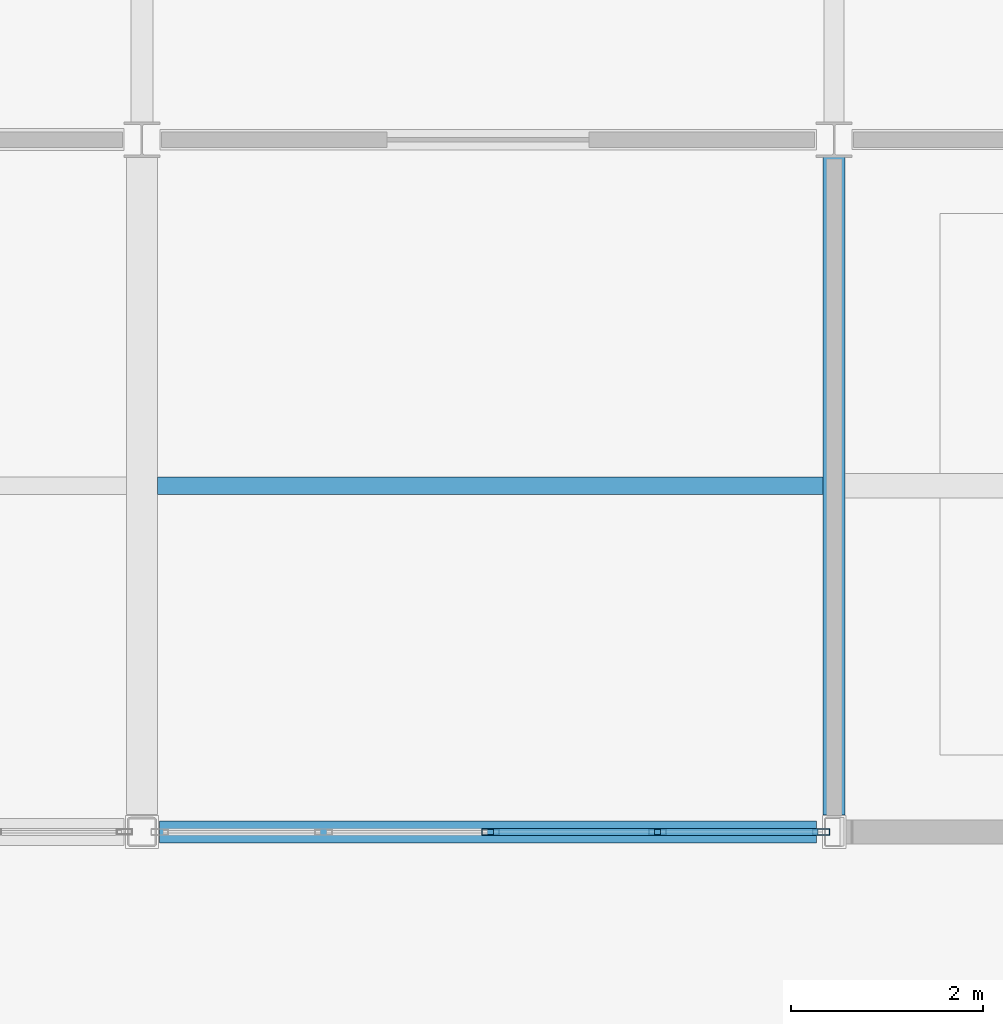
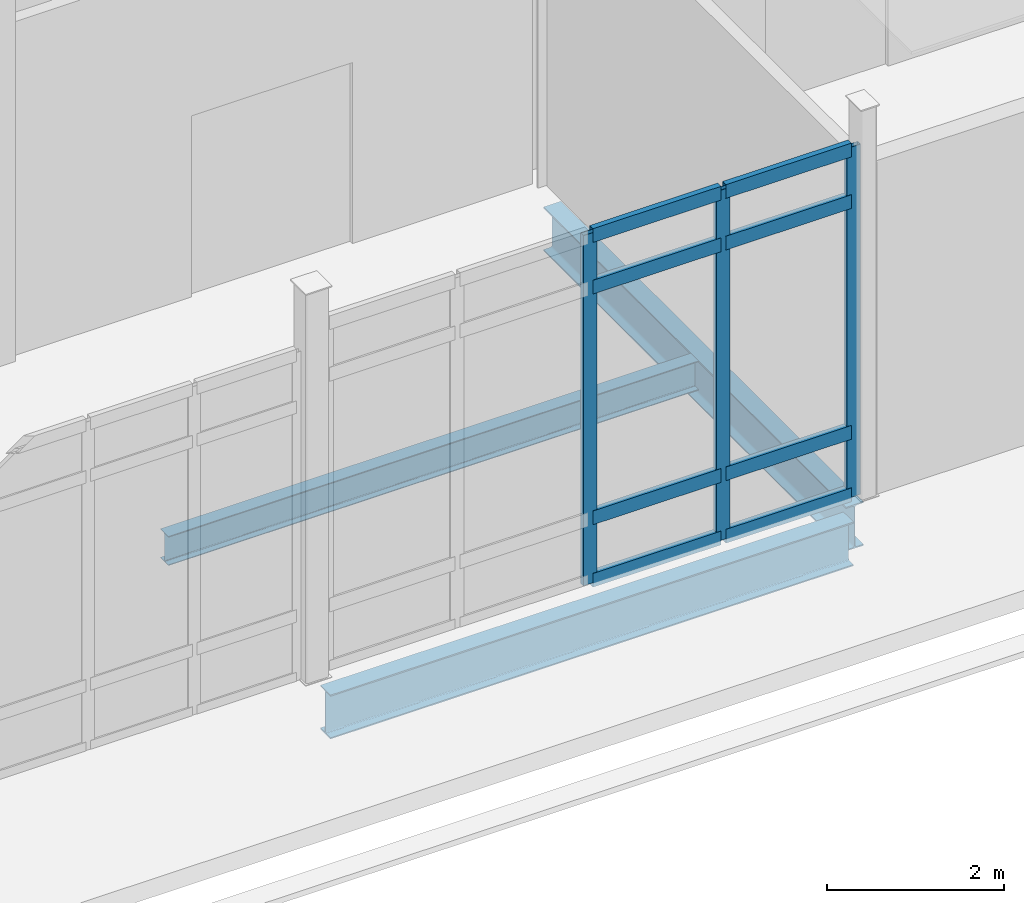
# One storey, part 118 of 229: 11 members, 3 beams, 1 element without a shape of its own.
"""IFC4 building model written with IfcOpenShell, lengths in metres."""

import ifcopenshell
import ifcopenshell.guid

model = None  # the IFC model being written
_history = None  # IfcOwnerHistory: only IFC2X3 demands one
_inside = {}  # id of a spatial element -> (the spatial element, [elements in it])
_under = {}  # id of a project, library or spatial element -> (it, [spatial elements below it])
_declared = {}  # id of a project -> (the project, [libraries it declares])
_typed = {}  # id of a type object -> (the type object, [elements of that type])
_made_of = {}  # id of a material, layer set ... -> (it, [elements and type objects made of it])


def new_model(schema):
    """Start an empty IFC model of exactly this schema.

    Asked for "IFC4X3", IfcOpenShell would pick the latest addendum, in which some entities
    have other attributes; the version numbers below select the first issue.
    IFC2X3 requires an IfcOwnerHistory on every rooted entity: one is made here for all.
    """
    global model, _history
    if schema == "IFC4X3":
        model = ifcopenshell.file(schema_version=(4, 3, 0, 0))
    else:
        model = ifcopenshell.file(schema=schema)
    _inside.clear()
    _under.clear()
    _declared.clear()
    _typed.clear()
    _made_of.clear()
    _history = None
    if model.schema == "IFC2X3":
        org = make("IfcOrganization", Name="unknown")
        user = make(
            "IfcPersonAndOrganization",
            ThePerson=make("IfcPerson", FamilyName="unknown"),
            TheOrganization=org,
        )
        app = make(
            "IfcApplication",
            ApplicationDeveloper=org,
            Version="unknown",
            ApplicationFullName="unknown",
            ApplicationIdentifier="unknown",
        )
        _history = make(
            "IfcOwnerHistory",
            OwningUser=user,
            OwningApplication=app,
            ChangeAction="ADDED",
            CreationDate=0,
        )
    return model


def make(cls, **values):
    """One entity of the class cls with the attributes given. An attribute that is None is left unset."""
    return model.create_entity(
        cls, **{name: value for name, value in values.items() if value is not None}
    )


def rooted(cls, **values):
    """An entity with a GlobalId (a new one), such as an element, a storey or a relation."""
    return make(cls, GlobalId=ifcopenshell.guid.new(), OwnerHistory=_history, **values)


def si_unit(unit_type, name, prefix=None):
    """IfcSIUnit, for example si_unit("LENGTHUNIT", "METRE", prefix="MILLI")."""
    return make("IfcSIUnit", UnitType=unit_type, Prefix=prefix, Name=name)


def assignment(units):
    """IfcUnitAssignment: the units of a project."""
    return None if units is None else make("IfcUnitAssignment", Units=units)


def point(xyz):
    """IfcCartesianPoint."""
    return None if xyz is None else make("IfcCartesianPoint", Coordinates=xyz)


def direction(xyz):
    """IfcDirection."""
    return None if xyz is None else make("IfcDirection", DirectionRatios=xyz)


def frame(location, z_axis=None, x_axis=None):
    """IfcAxis2Placement3D, a coordinate frame: its origin and axes. An axis left out is left unset."""
    return make(
        "IfcAxis2Placement3D",
        Location=point(location),
        Axis=direction(z_axis),
        RefDirection=direction(x_axis),
    )


def frame_2d(location, x_axis=None):
    """IfcAxis2Placement2D, a coordinate frame in the plane: its origin and x axis."""
    return make(
        "IfcAxis2Placement2D", Location=point(location), RefDirection=direction(x_axis)
    )


def origin():
    """The frame at (0, 0, 0) with its axes left unset."""
    return frame((0.0, 0.0, 0.0))


def origin_2d():
    """The frame at (0, 0) in the plane with its x axis left unset."""
    return frame_2d((0.0, 0.0))


def place(relative_to, where):
    """IfcLocalPlacement: puts the frame where relative to a parent placement (None: the world)."""
    return make(
        "IfcLocalPlacement", PlacementRelTo=relative_to, RelativePlacement=where
    )


def context(
    kind, dimensions, precision=None, world=None, true_north=None, identifier=None
):
    """IfcGeometricRepresentationContext, for example the 3D "Model" context."""
    return make(
        "IfcGeometricRepresentationContext",
        ContextIdentifier=identifier,
        ContextType=kind,
        CoordinateSpaceDimension=dimensions,
        Precision=precision,
        WorldCoordinateSystem=world,
        TrueNorth=true_north,
    )


def subcontext(parent, identifier, kind, view, scale=None):
    """IfcGeometricRepresentationSubContext, for example "Body" below "Model"."""
    return make(
        "IfcGeometricRepresentationSubContext",
        ContextIdentifier=identifier,
        ContextType=kind,
        ParentContext=parent,
        TargetScale=scale,
        TargetView=view,
    )


def project(units=None, contexts=None):
    """IfcProject with its units and contexts."""
    return rooted(
        "IfcProject",
        Name="project",
        RepresentationContexts=contexts,
        UnitsInContext=assignment(units),
    )


def spatial(cls, under=None, at=None, **own):
    """A site, building, storey or space (cls), placed at a placement, below another one or the project."""
    s = rooted(cls, ObjectPlacement=at, **own)
    if under is not None:
        _under.setdefault(under.id(), (under, []))[1].append(s)
    return s


def profile(cls, at=None, kind="AREA", **sizes):
    """A parametric profile (cls). Its sizes go by their IFC names, for example OverallWidth=200.0."""
    return make(cls, ProfileType=kind, Position=at, **sizes)


def hollow_rectangle(**sizes):
    """IfcRectangleHollowProfileDef."""
    return profile("IfcRectangleHollowProfileDef", **sizes)


def i_section(**sizes):
    """IfcIShapeProfileDef."""
    return profile("IfcIShapeProfileDef", **sizes)


def extrude(swept, where, along, depth):
    """IfcExtrudedAreaSolid: the profile swept, set in the frame where, extruded along a direction by depth."""
    return make(
        "IfcExtrudedAreaSolid",
        SweptArea=swept,
        Position=where,
        ExtrudedDirection=direction(along),
        Depth=depth,
    )


def shape(context_of_items, identifier, shape_type, items):
    """IfcShapeRepresentation: the items that make up one representation, for example the "Body"."""
    return make(
        "IfcShapeRepresentation",
        ContextOfItems=context_of_items,
        RepresentationIdentifier=identifier,
        RepresentationType=shape_type,
        Items=items,
    )


def material(Name=None, Category=None):
    """IfcMaterial."""
    return make("IfcMaterial", Name=Name, Category=Category)


def layer(
    of_material, thickness, ventilated=None, Name=None, Category=None, Priority=None
):
    """IfcMaterialLayer: one layer of a wall or slab, of a material (None: an air gap)."""
    return make(
        "IfcMaterialLayer",
        Material=of_material,
        LayerThickness=thickness,
        IsVentilated=ventilated,
        Name=Name,
        Category=Category,
        Priority=Priority,
    )


def layer_set(layers, Name=None):
    """IfcMaterialLayerSet."""
    return make("IfcMaterialLayerSet", MaterialLayers=layers, LayerSetName=Name)


def material_profile(
    of_material, cross_section, Name=None, Category=None, Priority=None
):
    """IfcMaterialProfile: a cross section and its material."""
    return make(
        "IfcMaterialProfile",
        Name=Name,
        Material=of_material,
        Profile=cross_section,
        Priority=Priority,
        Category=Category,
    )


def profile_set(profiles, Name=None, composite=None):
    """IfcMaterialProfileSet."""
    return make(
        "IfcMaterialProfileSet",
        Name=Name,
        MaterialProfiles=profiles,
        CompositeProfile=composite,
    )


def made_of(thing, what):
    """Note that an element or type object is made of a material, layer set ...; save() writes the relation."""
    if what is not None:
        _made_of.setdefault(what.id(), (what, []))[1].append(thing)
    return thing


def type_object(cls, material=None, **own):
    """A type object (cls), such as IfcWallType, which elements share."""
    return made_of(rooted(cls, **own), material)


def element(
    cls,
    number,
    at=None,
    inside=None,
    cuts=None,
    type_object=None,
    material=None,
    context=None,
    identifier="Body",
    shape_type=None,
    held_by="IfcProductDefinitionShape",
    body=None,
    shapes=None,
    **own,
):
    """One element of the class cls, such as IfcWall. Its Tag is "e" and its number.

    at: its placement. inside: the storey or other place that contains it. cuts: it is an
    opening in that element (IfcRelVoidsElement). A single representation is given by context,
    identifier, shape_type and body (its items); several are given by shapes. held_by: the class
    of the entity that holds the representations. save() writes the other relations.
    """
    e = rooted(cls, Tag="e%d" % number, ObjectPlacement=at, **own)
    if body is not None:
        shapes = [shape(context, identifier, shape_type, body)]
    if shapes is not None:
        e.Representation = make(held_by, Representations=shapes)
    if inside is not None:
        _inside.setdefault(inside.id(), (inside, []))[1].append(e)
    if cuts is not None:
        rooted(
            "IfcRelVoidsElement", RelatingBuildingElement=cuts, RelatedOpeningElement=e
        )
    if type_object is not None:
        _typed.setdefault(type_object.id(), (type_object, []))[1].append(e)
    return made_of(e, material)


def aggregate(whole, parts):
    """IfcRelAggregates: a whole, such as a stair, and the parts it consists of."""
    return rooted("IfcRelAggregates", RelatingObject=whole, RelatedObjects=parts)


def save(model, path):
    """Write the relations noted so far, then the file.

    IfcRelAggregates (storeys below a building ...), IfcRelContainedInSpatialStructure (elements
    in a storey), IfcRelDefinesByType, IfcRelAssociatesMaterial and IfcRelDeclares: one each for
    every whole, place, type object, material and project.
    """
    for whole, parts in _under.values():
        aggregate(whole, parts)
    for where, things in _inside.values():
        rooted(
            "IfcRelContainedInSpatialStructure",
            RelatedElements=things,
            RelatingStructure=where,
        )
    for kind, things in _typed.values():
        rooted("IfcRelDefinesByType", RelatedObjects=things, RelatingType=kind)
    for what, things in _made_of.values():
        rooted("IfcRelAssociatesMaterial", RelatedObjects=things, RelatingMaterial=what)
    for by, libraries in _declared.values():
        rooted("IfcRelDeclares", RelatingContext=by, RelatedDefinitions=libraries)
    model.write(path)


model = new_model("IFC4")

# Units and contexts
model_context = context("Model", 3, precision=1e-05, world=origin(), true_north=direction((0.0, 1.0)))
body_context = subcontext(model_context, "Body", "Model", "MODEL_VIEW")
ifc_project = project(units=[si_unit("LENGTHUNIT", "METRE"), si_unit("AREAUNIT", "SQUARE_METRE"), si_unit("VOLUMEUNIT", "CUBIC_METRE"), si_unit("PLANEANGLEUNIT", "RADIAN"), si_unit("MASSUNIT", "GRAM", prefix="KILO")], contexts=[model_context])

# Site, building, storey
site_placement = place(None, origin())
site = spatial("IfcSite", under=ifc_project, at=site_placement, CompositionType="ELEMENT")
building_placement = place(site_placement, origin())
building = spatial("IfcBuilding", under=site, at=building_placement, Name="Calvrana Isthmian Art Gallery", CompositionType="ELEMENT")
storey_placement = place(building_placement, origin())
storey = spatial("IfcBuildingStorey", under=building, at=storey_placement, Name="L00", CompositionType="ELEMENT", Elevation=0.0)

# Beams
ifc_material_1 = material(Name="Steel ASTM A992 Gr 50", Category="steel")
ifc_material_profile_1 = material_profile(ifc_material_1, i_section(OverallWidth=0.22802734375, OverallDepth=0.60693359375, WebThickness=0.01123046875, FlangeThickness=0.017333984375, FilletRadius=0.02197265625, at=origin_2d()), Name="W24X76")
ifc_profile_set_1 = profile_set([ifc_material_profile_1], Name="Steel ASTM A992 Gr 50")
beam_type_1 = type_object("IfcBeamType", Name="BM-G-W24X76", PredefinedType="BEAM", material=ifc_profile_set_1)
beam_1_placement = place(storey_placement, frame((148.985595703125, 0.0, -0.58837890625), z_axis=(1.0, 0.0, 0.0), x_axis=(0.0, 1.0, 0.0)))
element("IfcBeam", 1, at=beam_1_placement, inside=storey, type_object=beam_type_1, Name="Girder X L00 20-21/A", PredefinedType="BEAM", context=body_context, shape_type="SweptSolid", body=[
    extrude(i_section(OverallWidth=0.22802734375, OverallDepth=0.60693359375, WebThickness=0.01123046875, FlangeThickness=0.017333984375, FilletRadius=0.02197265625, at=origin_2d()), origin(), (0.0, 0.0, 1.0), 6.830322265625),
])
beam_2_placement = place(storey_placement, frame((156.0, 0.177978515625, -0.58837890625), z_axis=(0.0, 1.0, 0.0), x_axis=(-1.0, 0.0, 0.0)))
element("IfcBeam", 2, at=beam_2_placement, inside=storey, type_object=beam_type_1, Name="Girder Y L00 21/A-B", PredefinedType="BEAM", context=body_context, shape_type="SweptSolid", body=[
    extrude(i_section(OverallWidth=0.22802734375, OverallDepth=0.60693359375, WebThickness=0.01123046875, FlangeThickness=0.017333984375, FilletRadius=0.02197265625, at=origin_2d()), origin(), (0.0, 0.0, 1.0), 6.840576171875),
])
ifc_material_profile_2 = material_profile(ifc_material_1, i_section(OverallWidth=0.177978515625, OverallDepth=0.404052734375, WebThickness=0.007568359375, FlangeThickness=0.010986328125, FilletRadius=0.01806640625, at=origin_2d()), Name="W16X36")
ifc_profile_set_2 = profile_set([ifc_material_profile_2], Name="Steel ASTM A992 Gr 50")
beam_type_2 = type_object("IfcBeamType", Name="BM-J-W16X36", PredefinedType="JOIST", material=ifc_profile_set_2)
beam_3_placement = place(storey_placement, frame((148.96240234375, 3.60009765625, -0.487060546875), z_axis=(1.0, 0.0, 0.0), x_axis=(0.0, 1.0, 0.0)))
element("IfcBeam", 3, at=beam_3_placement, inside=storey, type_object=beam_type_2, Name="Composite joist L00 bay 19-00", PredefinedType="JOIST", context=body_context, shape_type="SweptSolid", body=[
    extrude(i_section(OverallWidth=0.177978515625, OverallDepth=0.404052734375, WebThickness=0.007568359375, FlangeThickness=0.010986328125, FilletRadius=0.01806640625, at=origin_2d()), origin(), (0.0, 0.0, 1.0), 6.923583984375),
])

# Curtain wall, members
ifc_material_2 = material(Name="Anodized bronze aluminium 6063-T6", Category="aluminium")
ifc_layer = layer(ifc_material_2, 0.179931640625, Name="Anodized bronze aluminium 6063-T6")
ifc_layer_set = layer_set([ifc_layer], Name="Anodized bronze aluminium 6063-T6")
curtain_wall_type = type_object("IfcCurtainWallType", Name="CW-STICK-069X48", PredefinedType="NOTDEFINED", material=ifc_layer_set)
curtain_wall_placement = place(storey_placement, origin())
curtain_wall = element("IfcCurtainWall", 4, at=curtain_wall_placement, inside=storey, type_object=curtain_wall_type, Name="Curtain wall CW-014", PredefinedType="NOTDEFINED")
ifc_material_profile_3 = material_profile(ifc_material_2, hollow_rectangle(XDim=0.06494140625, YDim=0.179931640625, WallThickness=0.00439453125, at=origin_2d()), Name="CWM65X180")
ifc_profile_set_3 = profile_set([ifc_material_profile_3], Name="Anodized bronze aluminium 6063-T6")
member_type_1 = type_object("IfcMemberType", Name="CWM-CWM65X180", PredefinedType="MULLION", material=ifc_profile_set_3)
member_1_placement = place(storey_placement, frame((155.865966796875, 0.0, 0.0), z_axis=(0.0, 0.0, 1.0), x_axis=(0.0, -1.0, 0.0)))
member_1 = element("IfcMember", 5, at=member_1_placement, type_object=member_type_1, Name="CW-014 mullion 1", PredefinedType="MULLION", context=body_context, shape_type="SweptSolid", body=[
    extrude(hollow_rectangle(XDim=0.06494140625, YDim=0.179931640625, WallThickness=0.00439453125, at=origin_2d()), origin(), (0.0, 0.0, 1.0), 4.835205078125),
])
member_2_placement = place(storey_placement, frame((154.161865234375, 0.0, 0.0), z_axis=(0.0, 0.0, 1.0), x_axis=(0.0, -1.0, 0.0)))
member_2 = element("IfcMember", 6, at=member_2_placement, type_object=member_type_1, Name="CW-014 mullion 2", PredefinedType="MULLION", context=body_context, shape_type="SweptSolid", body=[
    extrude(hollow_rectangle(XDim=0.06494140625, YDim=0.179931640625, WallThickness=0.00439453125, at=origin_2d()), origin(), (0.0, 0.0, 1.0), 4.835205078125),
])
member_3_placement = place(storey_placement, frame((152.42529296875, 0.0, 0.0), z_axis=(0.0, 0.0, 1.0), x_axis=(0.0, -1.0, 0.0)))
member_3 = element("IfcMember", 7, at=member_3_placement, type_object=member_type_1, Name="CW-014 mullion 3", PredefinedType="MULLION", context=body_context, shape_type="SweptSolid", body=[
    extrude(hollow_rectangle(XDim=0.06494140625, YDim=0.179931640625, WallThickness=0.00439453125, at=origin_2d()), origin(), (0.0, 0.0, 1.0), 4.835205078125),
])
ifc_material_profile_4 = material_profile(ifc_material_2, hollow_rectangle(XDim=0.074951171875, YDim=0.18994140625, WallThickness=0.00439453125, at=origin_2d()), Name="CWT75X190")
ifc_profile_set_4 = profile_set([ifc_material_profile_4], Name="Anodized bronze aluminium 6063-T6")
member_type_2 = type_object("IfcMemberType", Name="CWT-CWT75X190", PredefinedType="USERDEFINED", material=ifc_profile_set_4)
member_4_placement = place(storey_placement, frame((155.83349609375, 0.0, 0.03759765625), z_axis=(-1.0, 0.0, 0.0), x_axis=(0.0, -1.0, 0.0)))
member_4 = element("IfcMember", 8, at=member_4_placement, type_object=member_type_2, Name="CW-014 transom 1.1", ObjectType="TRANSOM", PredefinedType="USERDEFINED", context=body_context, shape_type="SweptSolid", body=[
    extrude(hollow_rectangle(XDim=0.074951171875, YDim=0.18994140625, WallThickness=0.00439453125, at=origin_2d()), origin(), (0.0, 0.0, 1.0), 1.63916015625),
])
member_5_placement = place(storey_placement, frame((155.83349609375, 0.0, 0.89990234375), z_axis=(-1.0, 0.0, 0.0), x_axis=(0.0, -1.0, 0.0)))
member_5 = element("IfcMember", 9, at=member_5_placement, type_object=member_type_2, Name="CW-014 transom 1.2", ObjectType="TRANSOM", PredefinedType="USERDEFINED", context=body_context, shape_type="SweptSolid", body=[
    extrude(hollow_rectangle(XDim=0.074951171875, YDim=0.18994140625, WallThickness=0.00439453125, at=origin_2d()), origin(), (0.0, 0.0, 1.0), 1.63916015625),
])
member_6_placement = place(storey_placement, frame((155.83349609375, 0.0, 4.085205078125), z_axis=(-1.0, 0.0, 0.0), x_axis=(0.0, -1.0, 0.0)))
member_6 = element("IfcMember", 10, at=member_6_placement, type_object=member_type_2, Name="CW-014 transom 1.3", ObjectType="TRANSOM", PredefinedType="USERDEFINED", context=body_context, shape_type="SweptSolid", body=[
    extrude(hollow_rectangle(XDim=0.074951171875, YDim=0.18994140625, WallThickness=0.00439453125, at=origin_2d()), origin(), (0.0, 0.0, 1.0), 1.63916015625),
])
member_7_placement = place(storey_placement, frame((155.83349609375, 0.0, 4.797607421875), z_axis=(-1.0, 0.0, 0.0), x_axis=(0.0, -1.0, 0.0)))
member_7 = element("IfcMember", 11, at=member_7_placement, type_object=member_type_2, Name="CW-014 transom 1.4", ObjectType="TRANSOM", PredefinedType="USERDEFINED", context=body_context, shape_type="SweptSolid", body=[
    extrude(hollow_rectangle(XDim=0.074951171875, YDim=0.18994140625, WallThickness=0.00439453125, at=origin_2d()), origin(), (0.0, 0.0, 1.0), 1.63916015625),
])
member_8_placement = place(storey_placement, frame((154.12939453125, 0.0, 0.03759765625), z_axis=(-1.0, 0.0, 0.0), x_axis=(0.0, -1.0, 0.0)))
member_8 = element("IfcMember", 12, at=member_8_placement, type_object=member_type_2, Name="CW-014 transom 2.1", ObjectType="TRANSOM", PredefinedType="USERDEFINED", context=body_context, shape_type="SweptSolid", body=[
    extrude(hollow_rectangle(XDim=0.074951171875, YDim=0.18994140625, WallThickness=0.00439453125, at=origin_2d()), origin(), (0.0, 0.0, 1.0), 1.67138671875),
])
member_9_placement = place(storey_placement, frame((154.12939453125, 0.0, 0.89990234375), z_axis=(-1.0, 0.0, 0.0), x_axis=(0.0, -1.0, 0.0)))
member_9 = element("IfcMember", 13, at=member_9_placement, type_object=member_type_2, Name="CW-014 transom 2.2", ObjectType="TRANSOM", PredefinedType="USERDEFINED", context=body_context, shape_type="SweptSolid", body=[
    extrude(hollow_rectangle(XDim=0.074951171875, YDim=0.18994140625, WallThickness=0.00439453125, at=origin_2d()), origin(), (0.0, 0.0, 1.0), 1.67138671875),
])
member_10_placement = place(storey_placement, frame((154.12939453125, 0.0, 4.085205078125), z_axis=(-1.0, 0.0, 0.0), x_axis=(0.0, -1.0, 0.0)))
member_10 = element("IfcMember", 14, at=member_10_placement, type_object=member_type_2, Name="CW-014 transom 2.3", ObjectType="TRANSOM", PredefinedType="USERDEFINED", context=body_context, shape_type="SweptSolid", body=[
    extrude(hollow_rectangle(XDim=0.074951171875, YDim=0.18994140625, WallThickness=0.00439453125, at=origin_2d()), origin(), (0.0, 0.0, 1.0), 1.67138671875),
])
member_11_placement = place(storey_placement, frame((154.12939453125, 0.0, 4.797607421875), z_axis=(-1.0, 0.0, 0.0), x_axis=(0.0, -1.0, 0.0)))
member_11 = element("IfcMember", 15, at=member_11_placement, type_object=member_type_2, Name="CW-014 transom 2.4", ObjectType="TRANSOM", PredefinedType="USERDEFINED", context=body_context, shape_type="SweptSolid", body=[
    extrude(hollow_rectangle(XDim=0.074951171875, YDim=0.18994140625, WallThickness=0.00439453125, at=origin_2d()), origin(), (0.0, 0.0, 1.0), 1.67138671875),
])
aggregate(curtain_wall, [member_1, member_2, member_3, member_4, member_5, member_6, member_7, member_8, member_9, member_10, member_11])

save(model, "model.ifc")
